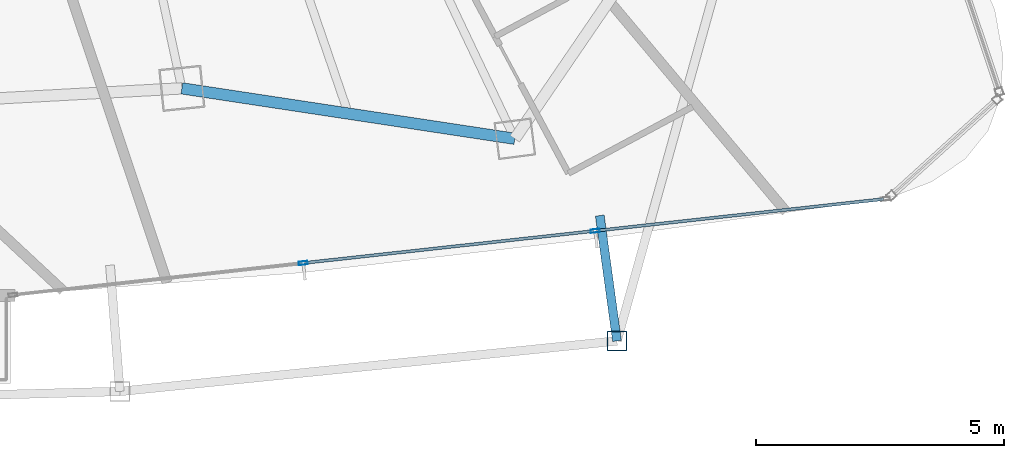
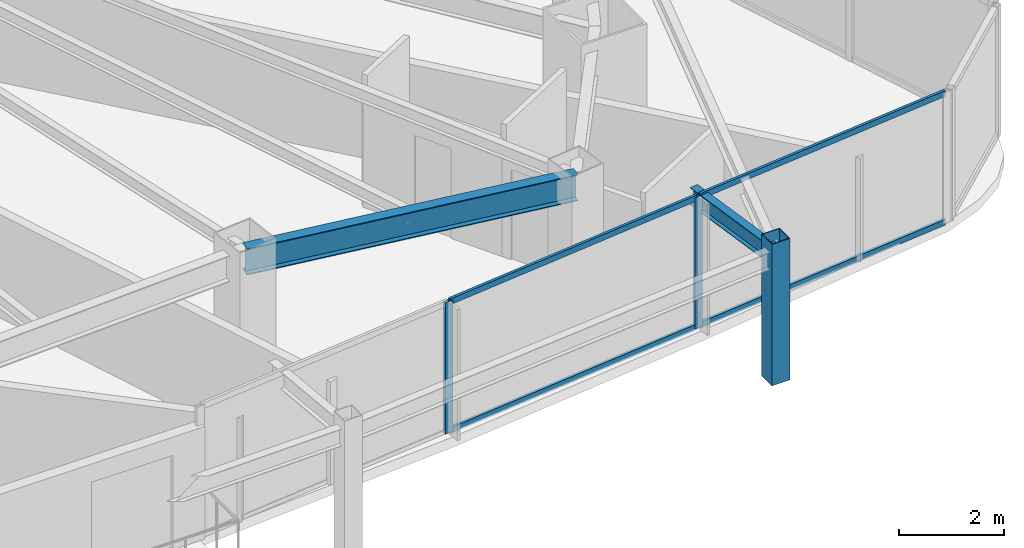
# One storey, part 13 of 31: 7 members, 2 beams, 1 element without a shape of its own.
"""IFC4 building model written with IfcOpenShell, lengths in metres."""

from ifc_helpers import new_model, si_unit, direction, frame, origin, origin_2d, place, context, subcontext, project, spatial, hollow_rectangle, i_section, extrude, material, layer, layer_set, material_profile, profile_set, type_object, element, aggregate, save


model = new_model("IFC4")

# Units and contexts
model_context = context("Model", 3, precision=1e-05, world=origin(), true_north=direction((0.0, 1.0)))
body_context = subcontext(model_context, "Body", "Model", "MODEL_VIEW")
ifc_project = project(units=[si_unit("LENGTHUNIT", "METRE"), si_unit("AREAUNIT", "SQUARE_METRE"), si_unit("VOLUMEUNIT", "CUBIC_METRE"), si_unit("PLANEANGLEUNIT", "RADIAN"), si_unit("MASSUNIT", "GRAM", prefix="KILO")], contexts=[model_context])

# Site, building, storey
site_placement = place(None, origin())
site = spatial("IfcSite", under=ifc_project, at=site_placement, CompositionType="ELEMENT")
building_placement = place(site_placement, origin())
building = spatial("IfcBuilding", under=site, at=building_placement, Name="Orvanel Arch Residences", CompositionType="ELEMENT")
storey_placement = place(building_placement, frame((0.0, 0.0, 126.5)))
storey = spatial("IfcBuildingStorey", under=building, at=storey_placement, Name="L35", CompositionType="ELEMENT", Elevation=126.5)

# Curtain wall, members
ifc_material_1 = material(Name="Bronze-anodised aluminium AA6063-T6", Category="aluminium")
ifc_layer = layer(ifc_material_1, 0.179931640625)
ifc_layer_set = layer_set([ifc_layer], Name="Bronze-anodised aluminium AA6063-T6")
curtain_wall_type = type_object("IfcCurtainWallType", Name="CW3-MID-SYS", PredefinedType="NOTDEFINED", material=ifc_layer_set)
curtain_wall_placement = place(storey_placement, origin())
curtain_wall = element("IfcCurtainWall", 1, at=curtain_wall_placement, inside=storey, type_object=curtain_wall_type, Name="L35 CW3-MID-SYS Unitised Curtain Wall", PredefinedType="NOTDEFINED")
ifc_material_profile_1 = material_profile(ifc_material_1, hollow_rectangle(XDim=0.070068359375, YDim=0.179931640625, WallThickness=0.00439453125, at=origin_2d()), Name="ALU180x70x4.5")
ifc_profile_set_1 = profile_set([ifc_material_profile_1], Name="Bronze-anodised aluminium AA6063-T6")
member_type_1 = type_object("IfcMemberType", Name="MUL-180x70", PredefinedType="MULLION", material=ifc_profile_set_1)
member_1_placement = place(storey_placement, frame((44.79638671875, 3.835693359375, 0.0), z_axis=(0.0, 0.0, 1.0), x_axis=(-0.109627687319, 0.993972721041, 0.0)))
member_1 = element("IfcMember", 2, at=member_1_placement, type_object=member_type_1, Name="CW-S3 mullion 2", PredefinedType="MULLION", context=body_context, shape_type="SweptSolid", body=[
    extrude(hollow_rectangle(XDim=0.070068359375, YDim=0.179931640625, WallThickness=0.00439453125, at=origin_2d()), origin(), (0.0, 0.0, 1.0), 3.06005859375),
])
member_2_placement = place(storey_placement, frame((50.677734375, 4.484375, 0.0), z_axis=(0.0, 0.0, 1.0), x_axis=(-0.109627687319, 0.993972721041, 0.0)))
member_2 = element("IfcMember", 3, at=member_2_placement, type_object=member_type_1, Name="CW-S3 mullion 3", PredefinedType="MULLION", context=body_context, shape_type="SweptSolid", body=[
    extrude(hollow_rectangle(XDim=0.070068359375, YDim=0.179931640625, WallThickness=0.00439453125, at=origin_2d()), origin(), (0.0, 0.0, 1.0), 3.06005859375),
])

# Beams
ifc_material_2 = material(Name="Structural steel AS/NZS 3679.1 Grade 300 (300 MPa)", Category="steel")
ifc_material_profile_2 = material_profile(ifc_material_2, i_section(OverallWidth=0.177978515625, OverallDepth=0.406005859375, WebThickness=0.0078125, FlangeThickness=0.0126953125, at=origin_2d()), Name="410UB59.7")
ifc_profile_set_2 = profile_set([ifc_material_profile_2], Name="Structural steel AS/NZS 3679.1 Grade 300 (300 MPa)")
beam_type_1 = type_object("IfcBeamType", Name="OB-410UB-EXT", PredefinedType="SPANDREL", material=ifc_profile_set_2)
beam_1_placement = place(storey_placement, frame((50.77001953125, 4.79296875, 2.85693359375), z_axis=(0.136070320573, -0.990699181315, 0.0), x_axis=(0.990699181315, 0.136070320573, 0.0)))
element("IfcBeam", 4, at=beam_1_placement, inside=storey, type_object=beam_type_1, Name="L35 Outer Frame Radial Tie Beam 08", PredefinedType="SPANDREL", context=body_context, shape_type="SweptSolid", body=[
    extrude(i_section(OverallWidth=0.177978515625, OverallDepth=0.406005859375, WebThickness=0.0078125, FlangeThickness=0.0126953125, at=origin_2d()), origin(), (0.0, 0.0, 1.0), 2.549560546875),
])
ifc_material_profile_3 = material_profile(ifc_material_2, i_section(OverallWidth=0.22900390625, OverallDepth=0.612060546875, WebThickness=0.011962890625, FlangeThickness=0.01953125, at=origin_2d()), Name="610UB125")
ifc_profile_set_3 = profile_set([ifc_material_profile_3], Name="Structural steel AS/NZS 3679.1 Grade 300 (300 MPa)")
beam_type_2 = type_object("IfcBeamType", Name="SP-610UB", PredefinedType="SPANDREL", material=ifc_profile_set_3)
beam_2_placement = place(storey_placement, frame((42.35107421875, 7.35498046875, 2.75390625), z_axis=(0.988726323014, -0.149733958002, 0.0), x_axis=(0.149733958002, 0.988726323014, 0.0)))
element("IfcBeam", 5, at=beam_2_placement, inside=storey, type_object=beam_type_2, Name="L35 Perimeter Spandrel Beam 07", PredefinedType="SPANDREL", context=body_context, shape_type="SweptSolid", body=[
    extrude(i_section(OverallWidth=0.22900390625, OverallDepth=0.612060546875, WebThickness=0.011962890625, FlangeThickness=0.01953125, at=origin_2d()), origin(), (0.0, 0.0, 1.0), 6.784423828125),
])

# Member
ifc_material_3 = material(Name="Structural steel AS/NZS 1163 C450L0 (Grade 450)", Category="steel")
ifc_material_profile_4 = material_profile(ifc_material_3, hollow_rectangle(XDim=0.39990234375, YDim=0.39990234375, WallThickness=0.01611328125, at=origin_2d()), Name="SHS400x400x16")
ifc_profile_set_4 = profile_set([ifc_material_profile_4], Name="Structural steel AS/NZS 1163 C450L0 (Grade 450)")
member_type_2 = type_object("IfcMemberType", Name="ST-400SHS-EXT", PredefinedType="STRUT", material=ifc_profile_set_4)
member_3_placement = place(storey_placement, frame((51.116943359375, 2.26708984375, 0.0), z_axis=(0.0, 0.0, 1.0), x_axis=(1.0, 0.0, 0.0)))
element("IfcMember", 6, at=member_3_placement, inside=storey, type_object=member_type_2, Name="L35 Outer Perimeter Frame Post 08", PredefinedType="STRUT", context=body_context, shape_type="SweptSolid", body=[
    extrude(hollow_rectangle(XDim=0.39990234375, YDim=0.39990234375, WallThickness=0.01611328125, at=origin_2d()), origin(), (0.0, 0.0, 1.0), 3.300048828125),
])

ifc_material_profile_5 = material_profile(ifc_material_1, hollow_rectangle(XDim=0.06005859375, YDim=0.135009765625, WallThickness=0.00390625, at=origin_2d()), Name="ALU135x60x4")
ifc_profile_set_5 = profile_set([ifc_material_profile_5], Name="Bronze-anodised aluminium AA6063-T6")
member_type_3 = type_object("IfcMemberType", Name="TRN-135x60", PredefinedType="USERDEFINED", material=ifc_profile_set_5)
member_4_placement = place(storey_placement, frame((44.8310546875, 3.839599609375, 0.030029296875), z_axis=(0.993975049404, 0.109606574446, 0.0), x_axis=(-0.109606574446, 0.993975049404, 0.0)))
member_4 = element("IfcMember", 7, at=member_4_placement, type_object=member_type_3, Name="CW-S3 transom 2.1", ObjectType="TRANSOM", PredefinedType="USERDEFINED", context=body_context, shape_type="SweptSolid", body=[
    extrude(hollow_rectangle(XDim=0.06005859375, YDim=0.135009765625, WallThickness=0.00390625, at=origin_2d()), origin(), (0.0, 0.0, 1.0), 5.846923828125),
])

member_5_placement = place(storey_placement, frame((44.8310546875, 3.839599609375, 3.030029296875), z_axis=(0.993975049404, 0.109606574446, 0.0), x_axis=(-0.109606574446, 0.993975049404, 0.0)))
member_5 = element("IfcMember", 8, at=member_5_placement, type_object=member_type_3, Name="CW-S3 transom 2.2", ObjectType="TRANSOM", PredefinedType="USERDEFINED", context=body_context, shape_type="SweptSolid", body=[
    extrude(hollow_rectangle(XDim=0.06005859375, YDim=0.135009765625, WallThickness=0.00390625, at=origin_2d()), origin(), (0.0, 0.0, 1.0), 5.846923828125),
])

member_6_placement = place(storey_placement, frame((50.71240234375, 4.48828125, 0.030029296875), z_axis=(0.993976612238, 0.109592400851, 0.0), x_axis=(-0.109592400851, 0.993976612238, 0.0)))
member_6 = element("IfcMember", 9, at=member_6_placement, type_object=member_type_3, Name="CW-S3 transom 3.1", ObjectType="TRANSOM", PredefinedType="USERDEFINED", context=body_context, shape_type="SweptSolid", body=[
    extrude(hollow_rectangle(XDim=0.06005859375, YDim=0.135009765625, WallThickness=0.00390625, at=origin_2d()), origin(), (0.0, 0.0, 1.0), 5.81201171875),
])

member_7_placement = place(storey_placement, frame((50.71240234375, 4.48828125, 3.030029296875), z_axis=(0.993976612238, 0.109592400851, 0.0), x_axis=(-0.109592400851, 0.993976612238, 0.0)))
member_7 = element("IfcMember", 10, at=member_7_placement, type_object=member_type_3, Name="CW-S3 transom 3.2", ObjectType="TRANSOM", PredefinedType="USERDEFINED", context=body_context, shape_type="SweptSolid", body=[
    extrude(hollow_rectangle(XDim=0.06005859375, YDim=0.135009765625, WallThickness=0.00390625, at=origin_2d()), origin(), (0.0, 0.0, 1.0), 5.81201171875),
])

aggregate(curtain_wall, [member_1, member_2, member_4, member_5, member_6, member_7])

save(model, "model.ifc")
